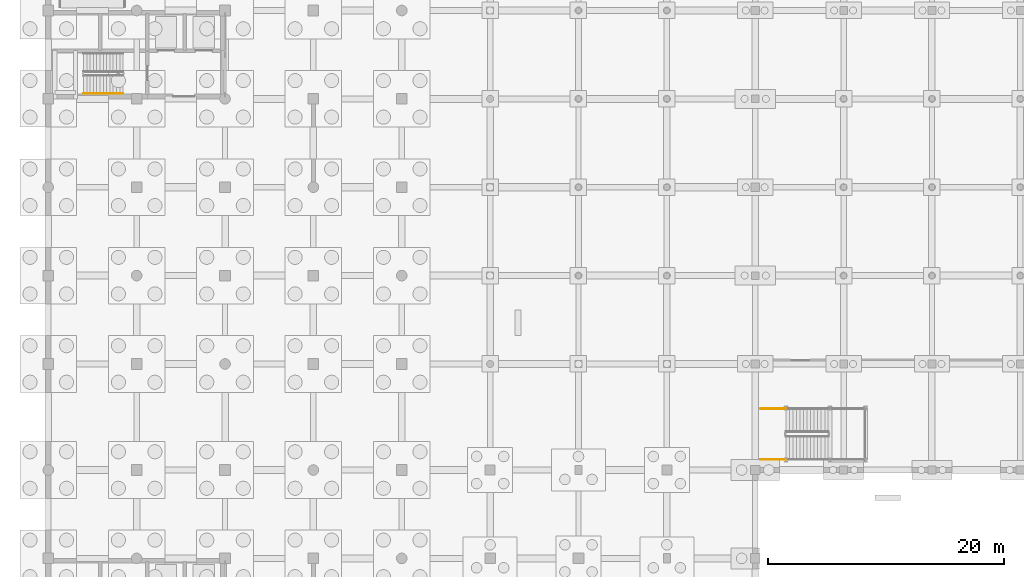
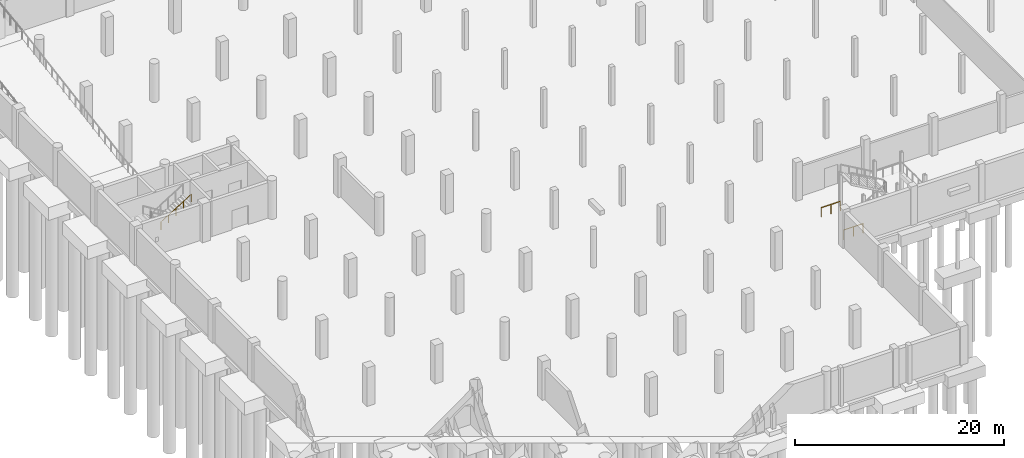
# One storey, part 34 of 42: 3 railings.
"""IFC4 building model written with IfcOpenShell, lengths in metres."""

import ifcopenshell
import ifcopenshell.guid

model = None  # the IFC model being written
_history = None  # IfcOwnerHistory: only IFC2X3 demands one
_inside = {}  # id of a spatial element -> (the spatial element, [elements in it])
_under = {}  # id of a project, library or spatial element -> (it, [spatial elements below it])
_declared = {}  # id of a project -> (the project, [libraries it declares])
_typed = {}  # id of a type object -> (the type object, [elements of that type])
_made_of = {}  # id of a material, layer set ... -> (it, [elements and type objects made of it])


def new_model(schema):
    """Start an empty IFC model of exactly this schema.

    Asked for "IFC4X3", IfcOpenShell would pick the latest addendum, in which some entities
    have other attributes; the version numbers below select the first issue.
    IFC2X3 requires an IfcOwnerHistory on every rooted entity: one is made here for all.
    """
    global model, _history
    if schema == "IFC4X3":
        model = ifcopenshell.file(schema_version=(4, 3, 0, 0))
    else:
        model = ifcopenshell.file(schema=schema)
    _inside.clear()
    _under.clear()
    _declared.clear()
    _typed.clear()
    _made_of.clear()
    _history = None
    if model.schema == "IFC2X3":
        org = make("IfcOrganization", Name="unknown")
        user = make(
            "IfcPersonAndOrganization",
            ThePerson=make("IfcPerson", FamilyName="unknown"),
            TheOrganization=org,
        )
        app = make(
            "IfcApplication",
            ApplicationDeveloper=org,
            Version="unknown",
            ApplicationFullName="unknown",
            ApplicationIdentifier="unknown",
        )
        _history = make(
            "IfcOwnerHistory",
            OwningUser=user,
            OwningApplication=app,
            ChangeAction="ADDED",
            CreationDate=0,
        )
    return model


def make(cls, **values):
    """One entity of the class cls with the attributes given. An attribute that is None is left unset."""
    return model.create_entity(
        cls, **{name: value for name, value in values.items() if value is not None}
    )


def rooted(cls, **values):
    """An entity with a GlobalId (a new one), such as an element, a storey or a relation."""
    return make(cls, GlobalId=ifcopenshell.guid.new(), OwnerHistory=_history, **values)


def si_unit(unit_type, name, prefix=None):
    """IfcSIUnit, for example si_unit("LENGTHUNIT", "METRE", prefix="MILLI")."""
    return make("IfcSIUnit", UnitType=unit_type, Prefix=prefix, Name=name)


def assignment(units):
    """IfcUnitAssignment: the units of a project."""
    return None if units is None else make("IfcUnitAssignment", Units=units)


def point(xyz):
    """IfcCartesianPoint."""
    return None if xyz is None else make("IfcCartesianPoint", Coordinates=xyz)


def direction(xyz):
    """IfcDirection."""
    return None if xyz is None else make("IfcDirection", DirectionRatios=xyz)


def frame(location, z_axis=None, x_axis=None):
    """IfcAxis2Placement3D, a coordinate frame: its origin and axes. An axis left out is left unset."""
    return make(
        "IfcAxis2Placement3D",
        Location=point(location),
        Axis=direction(z_axis),
        RefDirection=direction(x_axis),
    )


def frame_2d(location, x_axis=None):
    """IfcAxis2Placement2D, a coordinate frame in the plane: its origin and x axis."""
    return make(
        "IfcAxis2Placement2D", Location=point(location), RefDirection=direction(x_axis)
    )


def origin():
    """The frame at (0, 0, 0) with its axes left unset."""
    return frame((0.0, 0.0, 0.0))


def origin_2d():
    """The frame at (0, 0) in the plane with its x axis left unset."""
    return frame_2d((0.0, 0.0))


def place(relative_to, where):
    """IfcLocalPlacement: puts the frame where relative to a parent placement (None: the world)."""
    return make(
        "IfcLocalPlacement", PlacementRelTo=relative_to, RelativePlacement=where
    )


def context(
    kind, dimensions, precision=None, world=None, true_north=None, identifier=None
):
    """IfcGeometricRepresentationContext, for example the 3D "Model" context."""
    return make(
        "IfcGeometricRepresentationContext",
        ContextIdentifier=identifier,
        ContextType=kind,
        CoordinateSpaceDimension=dimensions,
        Precision=precision,
        WorldCoordinateSystem=world,
        TrueNorth=true_north,
    )


def subcontext(parent, identifier, kind, view, scale=None):
    """IfcGeometricRepresentationSubContext, for example "Body" below "Model"."""
    return make(
        "IfcGeometricRepresentationSubContext",
        ContextIdentifier=identifier,
        ContextType=kind,
        ParentContext=parent,
        TargetScale=scale,
        TargetView=view,
    )


def project(units=None, contexts=None):
    """IfcProject with its units and contexts."""
    return rooted(
        "IfcProject",
        Name="project",
        RepresentationContexts=contexts,
        UnitsInContext=assignment(units),
    )


def spatial(cls, under=None, at=None, **own):
    """A site, building, storey or space (cls), placed at a placement, below another one or the project."""
    s = rooted(cls, ObjectPlacement=at, **own)
    if under is not None:
        _under.setdefault(under.id(), (under, []))[1].append(s)
    return s


def profile(cls, at=None, kind="AREA", **sizes):
    """A parametric profile (cls). Its sizes go by their IFC names, for example OverallWidth=200.0."""
    return make(cls, ProfileType=kind, Position=at, **sizes)


def circle(**sizes):
    """IfcCircleProfileDef."""
    return profile("IfcCircleProfileDef", **sizes)


def extrude(swept, where, along, depth):
    """IfcExtrudedAreaSolid: the profile swept, set in the frame where, extruded along a direction by depth."""
    return make(
        "IfcExtrudedAreaSolid",
        SweptArea=swept,
        Position=where,
        ExtrudedDirection=direction(along),
        Depth=depth,
    )


def shape(context_of_items, identifier, shape_type, items):
    """IfcShapeRepresentation: the items that make up one representation, for example the "Body"."""
    return make(
        "IfcShapeRepresentation",
        ContextOfItems=context_of_items,
        RepresentationIdentifier=identifier,
        RepresentationType=shape_type,
        Items=items,
    )


def material(Name=None, Category=None):
    """IfcMaterial."""
    return make("IfcMaterial", Name=Name, Category=Category)


def made_of(thing, what):
    """Note that an element or type object is made of a material, layer set ...; save() writes the relation."""
    if what is not None:
        _made_of.setdefault(what.id(), (what, []))[1].append(thing)
    return thing


def type_object(cls, material=None, **own):
    """A type object (cls), such as IfcWallType, which elements share."""
    return made_of(rooted(cls, **own), material)


def element(
    cls,
    number,
    at=None,
    inside=None,
    cuts=None,
    type_object=None,
    material=None,
    context=None,
    identifier="Body",
    shape_type=None,
    held_by="IfcProductDefinitionShape",
    body=None,
    shapes=None,
    **own,
):
    """One element of the class cls, such as IfcWall. Its Tag is "e" and its number.

    at: its placement. inside: the storey or other place that contains it. cuts: it is an
    opening in that element (IfcRelVoidsElement). A single representation is given by context,
    identifier, shape_type and body (its items); several are given by shapes. held_by: the class
    of the entity that holds the representations. save() writes the other relations.
    """
    e = rooted(cls, Tag="e%d" % number, ObjectPlacement=at, **own)
    if body is not None:
        shapes = [shape(context, identifier, shape_type, body)]
    if shapes is not None:
        e.Representation = make(held_by, Representations=shapes)
    if inside is not None:
        _inside.setdefault(inside.id(), (inside, []))[1].append(e)
    if cuts is not None:
        rooted(
            "IfcRelVoidsElement", RelatingBuildingElement=cuts, RelatedOpeningElement=e
        )
    if type_object is not None:
        _typed.setdefault(type_object.id(), (type_object, []))[1].append(e)
    return made_of(e, material)


def aggregate(whole, parts):
    """IfcRelAggregates: a whole, such as a stair, and the parts it consists of."""
    return rooted("IfcRelAggregates", RelatingObject=whole, RelatedObjects=parts)


def save(model, path):
    """Write the relations noted so far, then the file.

    IfcRelAggregates (storeys below a building ...), IfcRelContainedInSpatialStructure (elements
    in a storey), IfcRelDefinesByType, IfcRelAssociatesMaterial and IfcRelDeclares: one each for
    every whole, place, type object, material and project.
    """
    for whole, parts in _under.values():
        aggregate(whole, parts)
    for where, things in _inside.values():
        rooted(
            "IfcRelContainedInSpatialStructure",
            RelatedElements=things,
            RelatingStructure=where,
        )
    for kind, things in _typed.values():
        rooted("IfcRelDefinesByType", RelatedObjects=things, RelatingType=kind)
    for what, things in _made_of.values():
        rooted("IfcRelAssociatesMaterial", RelatedObjects=things, RelatingMaterial=what)
    for by, libraries in _declared.values():
        rooted("IfcRelDeclares", RelatingContext=by, RelatedDefinitions=libraries)
    model.write(path)


model = new_model("IFC4")

# Units and contexts
model_context = context("Model", 3, precision=1e-05, world=origin(), true_north=direction((0.0, 1.0)))
body_context = subcontext(model_context, "Body", "Model", "MODEL_VIEW")
ifc_project = project(units=[si_unit("LENGTHUNIT", "METRE"), si_unit("AREAUNIT", "SQUARE_METRE"), si_unit("VOLUMEUNIT", "CUBIC_METRE"), si_unit("PLANEANGLEUNIT", "RADIAN"), si_unit("MASSUNIT", "GRAM", prefix="KILO")], contexts=[model_context])

# Site, building, storey
site_placement = place(None, origin())
site = spatial("IfcSite", under=ifc_project, at=site_placement, CompositionType="ELEMENT")
building_placement = place(site_placement, origin())
building = spatial("IfcBuilding", under=site, at=building_placement, Name="Dalvernix Boulevard General Hospital", CompositionType="ELEMENT")
storey_placement = place(building_placement, frame((0.0, 0.0, -4.5)))
storey = spatial("IfcBuildingStorey", under=building, at=storey_placement, Name="B1", CompositionType="ELEMENT", Elevation=-4.5)

# Railings
ifc_material_1 = material(Name="Brushed stainless steel balustrade", Category="steel")
railing_type_1 = type_object("IfcRailingType", Name="RL-GR-INT1", PredefinedType="BALUSTRADE", material=ifc_material_1)
for number, where, name in (
    (1, (60.449951171875, 23.39990234375, 0.0), "B1 ST-07 stair guard 8"),
    (2, (60.449951171875, 27.699951171875, 0.0), "B1 ST-07 stair guard 9"),
):
    element("IfcRailing", number, at=place(storey_placement, frame(where)), inside=storey, type_object=railing_type_1, Name=name, PredefinedType="BALUSTRADE", context=body_context, shape_type="SweptSolid", body=[
        extrude(circle(Radius=0.02392578125, at=origin_2d()), frame((0.0, 0.0, 1.09619140625), z_axis=(1.0, 0.0, 0.0), x_axis=(0.0, 1.0, 0.0)), (0.0, 0.0, 1.0), 2.150146484375),
        extrude(circle(Radius=0.02099609375, at=origin_2d()), origin(), (0.0, 0.0, 1.0), 1.072021484375),
        extrude(circle(Radius=0.02099609375, at=origin_2d()), frame((1.0751953125, 0.0, 0.0)), (0.0, 0.0, 1.0), 1.072021484375),
        extrude(circle(Radius=0.02099609375, at=origin_2d()), frame((2.150146484375, 0.0, 0.0)), (0.0, 0.0, 1.0), 1.072021484375),
    ])
ifc_material_2 = material(Name="Brushed stainless steel wall handrail", Category="steel")
railing_type_2 = type_object("IfcRailingType", Name="RL-HR-INT1", PredefinedType="HANDRAIL", material=ifc_material_2)
railing_placement = place(storey_placement, frame((2.989990234375, 54.449951171875, 2.423095703125)))
element("IfcRailing", 3, at=railing_placement, inside=storey, type_object=railing_type_2, Name="B1 ST-02 stair handrail 2", PredefinedType="HANDRAIL", context=body_context, shape_type="SweptSolid", body=[
    extrude(circle(Radius=0.02392578125, at=origin_2d()), frame((0.0, 0.0, 0.8759765625), z_axis=(0.850623216509, 0.0, 0.525775754039), x_axis=(0.0, 1.0, 0.0)), (0.0, 0.0, 1.0), 3.9501953125),
    extrude(circle(Radius=0.02099609375, at=origin_2d()), origin(), (0.0, 0.0, 1.0), 0.851806640625),
    extrude(circle(Radius=0.02099609375, at=origin_2d()), frame((0.840087890625, 0.0, 0.519287109375)), (0.0, 0.0, 1.0), 0.851806640625),
    extrude(circle(Radius=0.02099609375, at=origin_2d()), frame((1.68017578125, 0.0, 1.03857421875)), (0.0, 0.0, 1.0), 0.851806640625),
    extrude(circle(Radius=0.02099609375, at=origin_2d()), frame((2.52001953125, 0.0, 1.5576171875)), (0.0, 0.0, 1.0), 0.851806640625),
    extrude(circle(Radius=0.02099609375, at=origin_2d()), frame((3.360107421875, 0.0, 2.076904296875)), (0.0, 0.0, 1.0), 0.851806640625),
])

save(model, "model.ifc")
